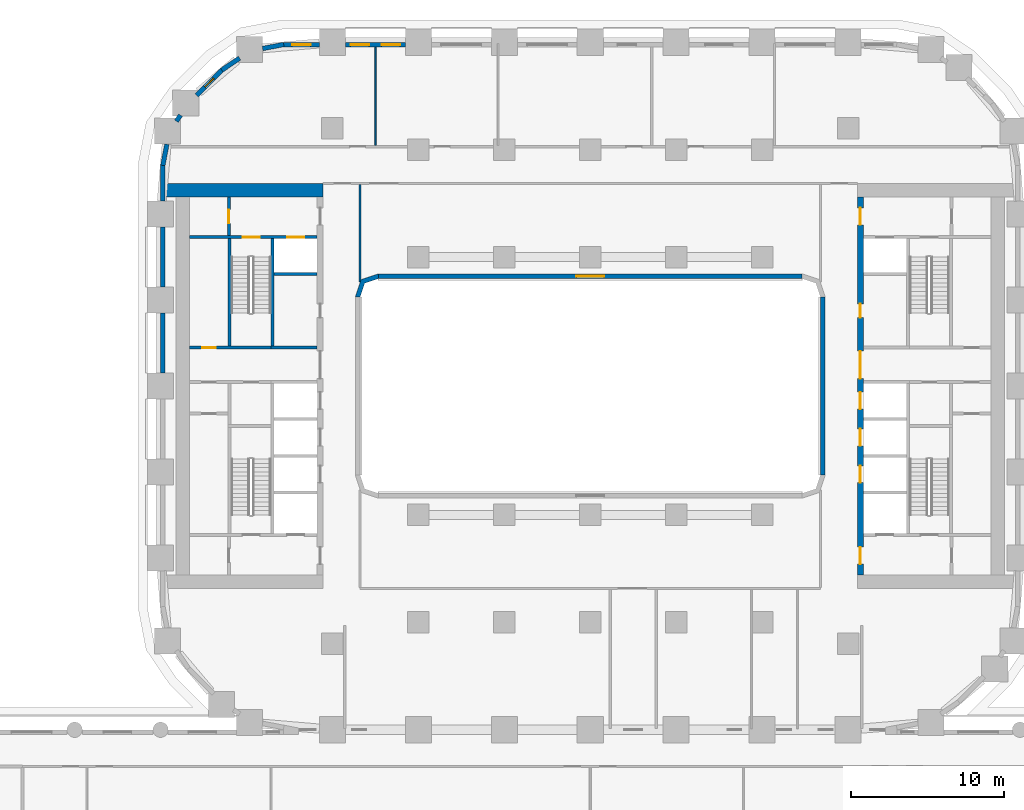
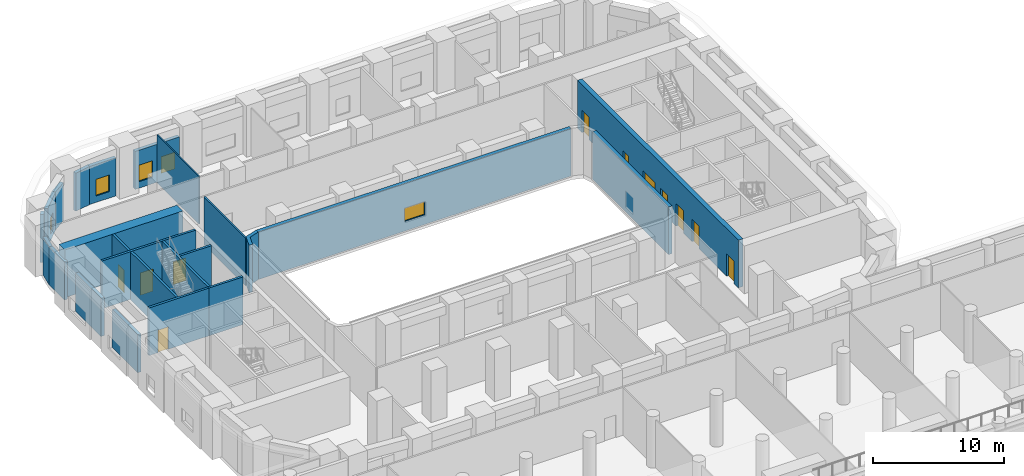
# One storey, part 10 of 23: 24 walls, 11 doors, 5 windows, 16 openings.
"""IFC4 building model written with IfcOpenShell, lengths in metres."""

from ifc_helpers import new_model, si_unit, direction, frame, frame_2d, origin, place, context, subcontext, project, spatial, polyline, rectangle, outline, extrude, material, layer, layer_set, type_object, element, fill, save


model = new_model("IFC4")

# Units and contexts
model_context = context("Model", 3, precision=1e-05, world=origin(), true_north=direction((0.0, 1.0)))
body_context = subcontext(model_context, "Body", "Model", "MODEL_VIEW")
ifc_project = project(units=[si_unit("LENGTHUNIT", "METRE"), si_unit("AREAUNIT", "SQUARE_METRE"), si_unit("VOLUMEUNIT", "CUBIC_METRE"), si_unit("PLANEANGLEUNIT", "RADIAN"), si_unit("MASSUNIT", "GRAM", prefix="KILO")], contexts=[model_context])

# Site, building, storey
site_placement = place(None, origin())
site = spatial("IfcSite", under=ifc_project, at=site_placement, CompositionType="ELEMENT")
building_placement = place(site_placement, origin())
building = spatial("IfcBuilding", under=site, at=building_placement, Name="Kiln Ring Residences", CompositionType="ELEMENT")
storey_placement = place(building_placement, frame((0.0, 0.0, 16.10009765625)))
storey = spatial("IfcBuildingStorey", under=building, at=storey_placement, Name="L03", CompositionType="ELEMENT", Elevation=16.10009765625)

# Wall, opening, door
ifc_material_1 = material(Name="Gypsum board on steel studs", Category="steel")
ifc_layer_1 = layer(ifc_material_1, 0.199951171875)
ifc_layer_set_1 = layer_set([ifc_layer_1], Name="CORE-PARTITION-200")
wall_type_1 = type_object("IfcWallType", Name="CORE-PARTITION-200", PredefinedType="PARTITIONING", material=ifc_layer_set_1)
wall_1_placement = place(storey_placement, frame((-23.550048828125, 9.800048828125, 0.0), z_axis=(0.0, 0.0, 1.0), x_axis=(0.0, 1.0, 0.0)))
wall_1 = element("IfcWall", 1, at=wall_1_placement, inside=storey, type_object=wall_type_1, Name="Core partition west L03 3", PredefinedType="PARTITIONING", context=body_context, shape_type="SweptSolid", body=[
    extrude(rectangle(XDim=2.5, YDim=0.199951171875, at=frame_2d((1.25, 0.0))), origin(), (0.0, 0.0, 1.0), 4.449951171875),
])
opening_1_placement = place(wall_1_placement, frame((0.800048828125, 0.0, 0.0)))
opening_1 = element("IfcOpeningElement", 2, at=opening_1_placement, cuts=wall_1, Name="Opening L03-CW09", PredefinedType="OPENING", context=body_context, shape_type="SweptSolid", body=[
    extrude(rectangle(XDim=0.89990234375, YDim=2.10009765625, at=frame_2d((0.449951171875, 1.050048828125))), frame((0.0, 0.10986328125, 0.0), z_axis=(0.0, -1.0, 0.0), x_axis=(1.0, 0.0, 0.0)), (0.0, 0.0, 1.0), 0.219970703125),
])
ifc_material_2 = material(Name="Steel door leaf", Category="steel")
door_type_1 = type_object("IfcDoorType", Name="CORE-DOOR-ROOM", OperationType="SINGLE_SWING_LEFT", PredefinedType="DOOR", material=ifc_material_2)
door_1_placement = place(opening_1_placement, origin())
door_1 = element("IfcDoor", 3, at=door_1_placement, inside=storey, type_object=door_type_1, Name="Fire riser room L03-CW09", OperationType="SINGLE_SWING_LEFT", OverallHeight=2.10009765625, OverallWidth=0.89990234375, PredefinedType="DOOR", context=body_context, shape_type="SweptSolid", body=[
    extrude(rectangle(XDim=0.89990234375, YDim=2.10009765625, at=frame_2d((0.449951171875, 1.050048828125))), frame((0.0, 0.02490234375, 0.0), z_axis=(0.0, -1.0, 0.0), x_axis=(1.0, 0.0, 0.0)), (0.0, 0.0, 1.0), 0.050048828125),
])
fill(opening_1, door_1)

# Walls
ifc_material_3 = material(Name="Gypsum shaft wall system")
ifc_layer_2 = layer(ifc_material_3, 0.199951171875)
ifc_layer_set_2 = layer_set([ifc_layer_2], Name="CORE-SHAFT-WALL-200")
wall_type_2 = type_object("IfcWallType", Name="CORE-SHAFT-WALL-200", PredefinedType="PARTITIONING", material=ifc_layer_set_2)
wall_2_placement = place(storey_placement, frame((-17.800048828125, 2.5, 0.0), z_axis=(0.0, 0.0, 1.0), x_axis=(-1.0, 0.0, 0.0)))
element("IfcWall", 4, at=wall_2_placement, inside=storey, type_object=wall_type_2, Name="Core partition west L03 10", PredefinedType="PARTITIONING", context=body_context, shape_type="SweptSolid", body=[
    extrude(rectangle(XDim=3.0, YDim=0.199951171875, at=frame_2d((1.5, 0.0))), origin(), (0.0, 0.0, 1.0), 4.449951171875),
])
wall_3_placement = place(storey_placement, frame((-17.800048828125, 7.300048828125, 0.0), z_axis=(0.0, 0.0, 1.0), x_axis=(-1.0, 0.0, 0.0)))
element("IfcWall", 5, at=wall_3_placement, inside=storey, type_object=wall_type_2, Name="Core partition west L03 11", PredefinedType="PARTITIONING", context=body_context, shape_type="SweptSolid", body=[
    extrude(rectangle(XDim=2.800048828125, YDim=0.199951171875, at=frame_2d((1.39990234375, 0.0))), origin(), (0.0, 0.0, 1.0), 4.449951171875),
])
ifc_material_4 = material(Name="Concrete C40/50", Category="concrete")
ifc_layer_3 = layer(ifc_material_4, 0.199951171875)
ifc_layer_set_3 = layer_set([ifc_layer_3], Name="CORE-WALL-RC200")
wall_type_3 = type_object("IfcWallType", Name="CORE-WALL-RC200", PredefinedType="SHEAR", material=ifc_layer_set_3)
wall_4_placement = place(storey_placement, frame((-20.699951171875, 2.60009765625, 0.0), z_axis=(0.0, 0.0, 1.0), x_axis=(0.0, 1.0, 0.0)))
element("IfcWall", 6, at=wall_4_placement, inside=storey, type_object=wall_type_3, Name="Core wall west L03 1", PredefinedType="SHEAR", context=body_context, shape_type="SweptSolid", body=[
    extrude(rectangle(XDim=7.0, YDim=0.199951171875, at=frame_2d((3.5, 0.0))), origin(), (0.0, 0.0, 1.0), 4.449951171875),
])

# Wall, opening, door
wall_5_placement = place(storey_placement, frame((-20.800048828125, 2.5, 0.0), z_axis=(0.0, 0.0, 1.0), x_axis=(-1.0, 0.0, 0.0)))
wall_5 = element("IfcWall", 7, at=wall_5_placement, inside=storey, type_object=wall_type_3, Name="Core wall west L03 3", PredefinedType="SHEAR", context=body_context, shape_type="SweptSolid", body=[
    extrude(rectangle(XDim=5.300048828125, YDim=0.199951171875, at=frame_2d((2.64990234375, 0.0))), origin(), (0.0, 0.0, 1.0), 4.449951171875),
])
opening_2_placement = place(wall_5_placement, frame((3.60009765625, 0.0, 0.0)))
opening_2 = element("IfcOpeningElement", 8, at=opening_2_placement, cuts=wall_5, Name="Opening L03-CW17", PredefinedType="OPENING", context=body_context, shape_type="SweptSolid", body=[
    extrude(rectangle(XDim=0.89990234375, YDim=2.10009765625, at=frame_2d((0.449951171875, 1.050048828125))), frame((0.0, 0.10986328125, 0.0), z_axis=(0.0, -1.0, 0.0), x_axis=(1.0, 0.0, 0.0)), (0.0, 0.0, 1.0), 0.219970703125),
])
door_2_placement = place(opening_2_placement, origin())
door_2 = element("IfcDoor", 9, at=door_2_placement, inside=storey, type_object=door_type_1, Name="Electrical plant room L03-CW17", OperationType="SINGLE_SWING_RIGHT", OverallHeight=2.10009765625, OverallWidth=0.89990234375, PredefinedType="DOOR", context=body_context, shape_type="SweptSolid", body=[
    extrude(rectangle(XDim=0.89990234375, YDim=2.10009765625, at=frame_2d((0.449951171875, 1.050048828125))), frame((0.0, 0.02490234375, 0.0), z_axis=(0.0, -1.0, 0.0), x_axis=(1.0, 0.0, 0.0)), (0.0, 0.0, 1.0), 0.050048828125),
])
fill(opening_2, door_2)

# Wall, openings, doors
wall_6_placement = place(storey_placement, frame((-17.800048828125, 9.699951171875, 0.0), z_axis=(0.0, 0.0, 1.0), x_axis=(-1.0, 0.0, 0.0)))
wall_6 = element("IfcWall", 10, at=wall_6_placement, inside=storey, type_object=wall_type_3, Name="Core wall west L03 9", PredefinedType="SHEAR", context=body_context, shape_type="SweptSolid", body=[
    extrude(rectangle(XDim=8.300048828125, YDim=0.199951171875, at=frame_2d((4.14990234375, 0.0))), origin(), (0.0, 0.0, 1.0), 4.449951171875),
])
opening_3_placement = place(wall_6_placement, frame((0.85009765625, 0.0, 0.0)))
opening_3 = element("IfcOpeningElement", 11, at=opening_3_placement, cuts=wall_6, Name="Opening L03-CW06", PredefinedType="OPENING", context=body_context, shape_type="SweptSolid", body=[
    extrude(rectangle(XDim=1.10009765625, YDim=2.10009765625, at=frame_2d((0.550048828125, 1.050048828125))), frame((0.0, 0.10986328125, 0.0), z_axis=(0.0, -1.0, 0.0), x_axis=(1.0, 0.0, 0.0)), (0.0, 0.0, 1.0), 0.219970703125),
])
opening_4_placement = place(wall_6_placement, frame((3.75, 0.0, 0.0)))
opening_4 = element("IfcOpeningElement", 12, at=opening_4_placement, cuts=wall_6, Name="Opening L03-CW11", PredefinedType="OPENING", context=body_context, shape_type="SweptSolid", body=[
    extrude(rectangle(XDim=1.10009765625, YDim=2.10009765625, at=frame_2d((0.550048828125, 1.050048828125))), frame((0.0, 0.10986328125, 0.0), z_axis=(0.0, -1.0, 0.0), x_axis=(1.0, 0.0, 0.0)), (0.0, 0.0, 1.0), 0.219970703125),
])
ifc_material_5 = material(Name="Steel door leaf", Category="steel")
door_type_2 = type_object("IfcDoorType", Name="CORE-DOOR-LD", OperationType="DOUBLE_DOOR_SLIDING", PredefinedType="DOOR", material=ifc_material_5)
door_3_placement = place(opening_3_placement, origin())
door_3 = element("IfcDoor", 13, at=door_3_placement, inside=storey, type_object=door_type_2, Name="LD W-FF L03-CW06", OperationType="DOUBLE_DOOR_SLIDING", OverallHeight=2.10009765625, OverallWidth=1.10009765625, PredefinedType="DOOR", context=body_context, shape_type="SweptSolid", body=[
    extrude(rectangle(XDim=1.10009765625, YDim=2.10009765625, at=frame_2d((0.550048828125, 1.050048828125))), frame((0.0, 0.02490234375, 0.0), z_axis=(0.0, -1.0, 0.0), x_axis=(1.0, 0.0, 0.0)), (0.0, 0.0, 1.0), 0.050048828125),
])
fill(opening_3, door_3)
ifc_material_6 = material(Name="Steel door leaf", Category="steel")
door_type_3 = type_object("IfcDoorType", Name="CORE-DOOR-STAIR", OperationType="SINGLE_SWING_LEFT", PredefinedType="DOOR", material=ifc_material_6)
door_4_placement = place(opening_4_placement, origin())
door_4 = element("IfcDoor", 14, at=door_4_placement, inside=storey, type_object=door_type_3, Name="Stair W-STN L03-CW11", OperationType="SINGLE_SWING_LEFT", OverallHeight=2.10009765625, OverallWidth=1.10009765625, PredefinedType="DOOR", context=body_context, shape_type="SweptSolid", body=[
    extrude(rectangle(XDim=1.10009765625, YDim=2.10009765625, at=frame_2d((0.550048828125, 1.050048828125))), frame((0.0, 0.02490234375, 0.0), z_axis=(0.0, -1.0, 0.0), x_axis=(1.0, 0.0, 0.0)), (0.0, 0.0, 1.0), 0.050048828125),
])
fill(opening_4, door_4)

# Wall
wall_7_placement = place(storey_placement, frame((-23.5, 2.60009765625, 0.0), z_axis=(0.0, 0.0, 1.0), x_axis=(0.0, 1.0, 0.0)))
element("IfcWall", 15, at=wall_7_placement, inside=storey, type_object=wall_type_3, Name="Core wall west L03 10", PredefinedType="SHEAR", context=body_context, shape_type="SweptSolid", body=[
    extrude(rectangle(XDim=7.0, YDim=0.199951171875, at=frame_2d((3.5, 0.0))), origin(), (0.0, 0.0, 1.0), 4.449951171875),
])

# Wall, openings, doors
ifc_material_7 = material(Name="Concrete C60/75", Category="concrete")
ifc_layer_4 = layer(ifc_material_7, 0.39990234375)
ifc_layer_set_4 = layer_set([ifc_layer_4], Name="CORE-WALL-RC400")
wall_type_4 = type_object("IfcWallType", Name="CORE-WALL-RC400", PredefinedType="SHEAR", material=ifc_layer_set_4)
wall_8_placement = place(storey_placement, frame((17.60009765625, -12.300048828125, 0.0), z_axis=(0.0, 0.0, 1.0), x_axis=(0.0, 1.0, 0.0)))
wall_8 = element("IfcWall", 16, at=wall_8_placement, inside=storey, type_object=wall_type_4, Name="Core wall east L03 6", PredefinedType="SHEAR", context=body_context, shape_type="SweptSolid", body=[
    extrude(rectangle(XDim=24.60009765625, YDim=0.39990234375, at=frame_2d((12.300048828125, 0.0))), origin(), (0.0, 0.0, 1.0), 4.449951171875),
])
opening_5_placement = place(wall_8_placement, frame((6.0, 0.0, 0.0)))
opening_5 = element("IfcOpeningElement", 17, at=opening_5_placement, cuts=wall_8, Name="Opening L03-CE02", PredefinedType="OPENING", context=body_context, shape_type="SweptSolid", body=[
    extrude(rectangle(XDim=1.10009765625, YDim=2.10009765625, at=frame_2d((0.550048828125, 1.050048828125))), frame((0.0, 0.2099609375, 0.0), z_axis=(0.0, -1.0, 0.0), x_axis=(1.0, 0.0, 0.0)), (0.0, 0.0, 1.0), 0.419921875),
])
opening_6_placement = place(wall_8_placement, frame((8.39990234375, 0.0, 0.0)))
opening_6 = element("IfcOpeningElement", 18, at=opening_6_placement, cuts=wall_8, Name="Opening L03-CE03", PredefinedType="OPENING", context=body_context, shape_type="SweptSolid", body=[
    extrude(rectangle(XDim=1.10009765625, YDim=2.10009765625, at=frame_2d((0.550048828125, 1.050048828125))), frame((0.0, 0.2099609375, 0.0), z_axis=(0.0, -1.0, 0.0), x_axis=(1.0, 0.0, 0.0)), (0.0, 0.0, 1.0), 0.419921875),
])
opening_7_placement = place(wall_8_placement, frame((10.800048828125, 0.0, 0.0)))
opening_7 = element("IfcOpeningElement", 19, at=opening_7_placement, cuts=wall_8, Name="Opening L03-CE04", PredefinedType="OPENING", context=body_context, shape_type="SweptSolid", body=[
    extrude(rectangle(XDim=1.10009765625, YDim=2.10009765625, at=frame_2d((0.550048828125, 1.050048828125))), frame((0.0, 0.2099609375, 0.0), z_axis=(0.0, -1.0, 0.0), x_axis=(1.0, 0.0, 0.0)), (0.0, 0.0, 1.0), 0.419921875),
])
opening_8_placement = place(wall_8_placement, frame((16.75, 0.0, 0.0)))
opening_8 = element("IfcOpeningElement", 20, at=opening_8_placement, cuts=wall_8, Name="Opening L03-CE05", PredefinedType="OPENING", context=body_context, shape_type="SweptSolid", body=[
    extrude(rectangle(XDim=0.89990234375, YDim=2.10009765625, at=frame_2d((0.449951171875, 1.050048828125))), frame((0.0, 0.2099609375, 0.0), z_axis=(0.0, -1.0, 0.0), x_axis=(1.0, 0.0, 0.0)), (0.0, 0.0, 1.0), 0.419921875),
])
opening_9_placement = place(wall_8_placement, frame((22.800048828125, 0.0, 0.0)))
opening_9 = element("IfcOpeningElement", 21, at=opening_9_placement, cuts=wall_8, Name="Opening L03-CE07", PredefinedType="OPENING", context=body_context, shape_type="SweptSolid", body=[
    extrude(rectangle(XDim=1.10009765625, YDim=2.10009765625, at=frame_2d((0.550048828125, 1.050048828125))), frame((0.0, 0.2099609375, 0.0), z_axis=(0.0, -1.0, 0.0), x_axis=(1.0, 0.0, 0.0)), (0.0, 0.0, 1.0), 0.419921875),
])
opening_10_placement = place(wall_8_placement, frame((0.699951171875, 0.0, 0.0)))
opening_10 = element("IfcOpeningElement", 22, at=opening_10_placement, cuts=wall_8, Name="Opening L03-CE08", PredefinedType="OPENING", context=body_context, shape_type="SweptSolid", body=[
    extrude(rectangle(XDim=1.10009765625, YDim=2.10009765625, at=frame_2d((0.550048828125, 1.050048828125))), frame((0.0, 0.2099609375, 0.0), z_axis=(0.0, -1.0, 0.0), x_axis=(1.0, 0.0, 0.0)), (0.0, 0.0, 1.0), 0.419921875),
])
opening_11_placement = place(wall_8_placement, frame((12.77490234375, 0.0, 0.0)))
opening_11 = element("IfcOpeningElement", 23, at=opening_11_placement, cuts=wall_8, Name="Opening L03-CE13", PredefinedType="OPENING", context=body_context, shape_type="SweptSolid", body=[
    extrude(rectangle(XDim=1.800048828125, YDim=2.10009765625, at=frame_2d((0.89990234375, 1.050048828125))), frame((0.0, 0.2099609375, 0.0), z_axis=(0.0, -1.0, 0.0), x_axis=(1.0, 0.0, 0.0)), (0.0, 0.0, 1.0), 0.419921875),
])
door_5_placement = place(opening_5_placement, origin())
door_5 = element("IfcDoor", 24, at=door_5_placement, inside=storey, type_object=door_type_2, Name="LD E-L1 L03-CE02", OperationType="DOUBLE_DOOR_SLIDING", OverallHeight=2.10009765625, OverallWidth=1.10009765625, PredefinedType="DOOR", context=body_context, shape_type="SweptSolid", body=[
    extrude(rectangle(XDim=1.10009765625, YDim=2.10009765625, at=frame_2d((0.550048828125, 1.050048828125))), frame((0.0, 0.02490234375, 0.0), z_axis=(0.0, -1.0, 0.0), x_axis=(1.0, 0.0, 0.0)), (0.0, 0.0, 1.0), 0.050048828125),
])
fill(opening_5, door_5)
door_6_placement = place(opening_6_placement, origin())
door_6 = element("IfcDoor", 25, at=door_6_placement, inside=storey, type_object=door_type_2, Name="LD E-L2 L03-CE03", OperationType="DOUBLE_DOOR_SLIDING", OverallHeight=2.10009765625, OverallWidth=1.10009765625, PredefinedType="DOOR", context=body_context, shape_type="SweptSolid", body=[
    extrude(rectangle(XDim=1.10009765625, YDim=2.10009765625, at=frame_2d((0.550048828125, 1.050048828125))), frame((0.0, 0.02490234375, 0.0), z_axis=(0.0, -1.0, 0.0), x_axis=(1.0, 0.0, 0.0)), (0.0, 0.0, 1.0), 0.050048828125),
])
fill(opening_6, door_6)
door_7_placement = place(opening_7_placement, origin())
door_7 = element("IfcDoor", 26, at=door_7_placement, inside=storey, type_object=door_type_2, Name="LD E-L3 L03-CE04", OperationType="DOUBLE_DOOR_SLIDING", OverallHeight=2.10009765625, OverallWidth=1.10009765625, PredefinedType="DOOR", context=body_context, shape_type="SweptSolid", body=[
    extrude(rectangle(XDim=1.10009765625, YDim=2.10009765625, at=frame_2d((0.550048828125, 1.050048828125))), frame((0.0, 0.02490234375, 0.0), z_axis=(0.0, -1.0, 0.0), x_axis=(1.0, 0.0, 0.0)), (0.0, 0.0, 1.0), 0.050048828125),
])
fill(opening_7, door_7)
ifc_material_8 = material(Name="Steel door leaf", Category="steel")
door_type_4 = type_object("IfcDoorType", Name="CORE-DOOR-LOBBY", OperationType="SINGLE_SWING_LEFT", PredefinedType="DOOR", material=ifc_material_8)
door_8_placement = place(opening_9_placement, origin())
door_8 = element("IfcDoor", 27, at=door_8_placement, inside=storey, type_object=door_type_4, Name="FFL L03-CE07", OperationType="SINGLE_SWING_LEFT", OverallHeight=2.10009765625, OverallWidth=1.10009765625, PredefinedType="DOOR", context=body_context, shape_type="SweptSolid", body=[
    extrude(rectangle(XDim=1.10009765625, YDim=2.10009765625, at=frame_2d((0.550048828125, 1.050048828125))), frame((0.0, 0.02490234375, 0.0), z_axis=(0.0, -1.0, 0.0), x_axis=(1.0, 0.0, 0.0)), (0.0, 0.0, 1.0), 0.050048828125),
])
fill(opening_9, door_8)
door_9_placement = place(opening_10_placement, origin())
door_9 = element("IfcDoor", 28, at=door_9_placement, inside=storey, type_object=door_type_4, Name="SVL L03-CE08", OperationType="SINGLE_SWING_RIGHT", OverallHeight=2.10009765625, OverallWidth=1.10009765625, PredefinedType="DOOR", context=body_context, shape_type="SweptSolid", body=[
    extrude(rectangle(XDim=1.10009765625, YDim=2.10009765625, at=frame_2d((0.550048828125, 1.050048828125))), frame((0.0, 0.02490234375, 0.0), z_axis=(0.0, -1.0, 0.0), x_axis=(1.0, 0.0, 0.0)), (0.0, 0.0, 1.0), 0.050048828125),
])
fill(opening_10, door_9)
ifc_material_9 = material(Name="Steel door leaf", Category="steel")
door_type_5 = type_object("IfcDoorType", Name="CORE-DOOR-PASS", OperationType="DOUBLE_DOOR_SINGLE_SWING", PredefinedType="DOOR", material=ifc_material_9)
door_10_placement = place(opening_11_placement, origin())
door_10 = element("IfcDoor", 29, at=door_10_placement, inside=storey, type_object=door_type_5, Name="Core passage L03-CE13", OperationType="DOUBLE_DOOR_SINGLE_SWING", OverallHeight=2.10009765625, OverallWidth=1.800048828125, PredefinedType="DOOR", context=body_context, shape_type="SweptSolid", body=[
    extrude(rectangle(XDim=1.800048828125, YDim=2.10009765625, at=frame_2d((0.89990234375, 1.050048828125))), frame((0.0, 0.02490234375, 0.0), z_axis=(0.0, -1.0, 0.0), x_axis=(1.0, 0.0, 0.0)), (0.0, 0.0, 1.0), 0.050048828125),
])
fill(opening_11, door_10)
door_11_placement = place(opening_8_placement, origin())
door_11 = element("IfcDoor", 30, at=door_11_placement, inside=storey, type_object=door_type_1, Name="Goods store L03-CE05", OperationType="SINGLE_SWING_RIGHT", OverallHeight=2.10009765625, OverallWidth=0.89990234375, PredefinedType="DOOR", context=body_context, shape_type="SweptSolid", body=[
    extrude(rectangle(XDim=0.89990234375, YDim=2.10009765625, at=frame_2d((0.449951171875, 1.050048828125))), frame((0.0, 0.02490234375, 0.0), z_axis=(0.0, -1.0, 0.0), x_axis=(1.0, 0.0, 0.0)), (0.0, 0.0, 1.0), 0.050048828125),
])
fill(opening_8, door_11)

# Wall
ifc_material_10 = material(Name="Concrete C60/75", Category="concrete")
ifc_layer_5 = layer(ifc_material_10, 0.89990234375)
ifc_layer_set_5 = layer_set([ifc_layer_5], Name="CORE-WALL-RC900")
wall_type_5 = type_object("IfcWallType", Name="CORE-WALL-RC900", PredefinedType="SHEAR", material=ifc_layer_set_5)
wall_9_placement = place(storey_placement, frame((-17.39990234375, 12.75, 0.0), z_axis=(0.0, 0.0, 1.0), x_axis=(-1.0, 0.0, 0.0)))
element("IfcWall", 31, at=wall_9_placement, inside=storey, type_object=wall_type_5, Name="Core wall west L03 4", PredefinedType="SHEAR", context=body_context, shape_type="SweptSolid", body=[
    extrude(rectangle(XDim=10.400146484375, YDim=0.89990234375, at=frame_2d((5.2001953125, 0.0))), origin(), (0.0, 0.0, 1.0), 4.449951171875),
])

# Wall, openings, windows
ifc_material_11 = material(Name="Brick masonry, dark clay brick", Category="masonry")
ifc_layer_6 = layer(ifc_material_11, 0.300048828125)
ifc_layer_set_6 = layer_set([ifc_layer_6], Name="EW-300 BRICK WALL")
wall_type_6 = type_object("IfcWallType", Name="EW-300 BRICK WALL", PredefinedType="SOLIDWALL", material=ifc_layer_set_6)
wall_10_placement = place(storey_placement, frame((-12.050048828125, 22.25, 0.0), z_axis=(0.0, 0.0, 1.0), x_axis=(-1.0, 0.0, 0.0)))
wall_10 = element("IfcWall", 32, at=wall_10_placement, inside=storey, type_object=wall_type_6, Name="Facade wall L03 31", PredefinedType="SOLIDWALL", context=body_context, shape_type="SweptSolid", body=[
    extrude(rectangle(XDim=3.89990234375, YDim=0.300048828125, at=frame_2d((1.949951171875, 0.0))), origin(), (0.0, 0.0, 1.0), 3.5498046875),
])
opening_12_placement = place(wall_10_placement, frame((0.33740234375, 0.0, 0.60009765625)))
opening_12 = element("IfcOpeningElement", 33, at=opening_12_placement, cuts=wall_10, Name="Opening W1", PredefinedType="OPENING", context=body_context, shape_type="SweptSolid", body=[
    extrude(rectangle(XDim=1.199951171875, YDim=1.550048828125, at=frame_2d((0.60009765625, 0.77490234375))), frame((0.0, 0.159912109375, 0.0), z_axis=(0.0, -1.0, 0.0), x_axis=(1.0, 0.0, 0.0)), (0.0, 0.0, 1.0), 0.320068359375),
])
opening_13_placement = place(wall_10_placement, frame((2.362548828125, 0.0, 0.60009765625)))
opening_13 = element("IfcOpeningElement", 34, at=opening_13_placement, cuts=wall_10, Name="Opening W1", PredefinedType="OPENING", context=body_context, shape_type="SweptSolid", body=[
    extrude(rectangle(XDim=1.199951171875, YDim=1.550048828125, at=frame_2d((0.60009765625, 0.77490234375))), frame((0.0, 0.159912109375, 0.0), z_axis=(0.0, -1.0, 0.0), x_axis=(1.0, 0.0, 0.0)), (0.0, 0.0, 1.0), 0.320068359375),
])
ifc_material_12 = material(Name="Aluminium frame with double glazing", Category="aluminium")
window_type_1 = type_object("IfcWindowType", Name="WINDOW 1200 x 1550", PartitioningType="SINGLE_PANEL", PredefinedType="WINDOW", material=ifc_material_12)
window_1_placement = place(opening_12_placement, origin())
window_1 = element("IfcWindow", 35, at=window_1_placement, inside=storey, type_object=window_type_1, Name="Window L03 17", OverallHeight=1.550048828125, OverallWidth=1.199951171875, PartitioningType="SINGLE_PANEL", PredefinedType="WINDOW", context=body_context, shape_type="SweptSolid", body=[
    extrude(rectangle(XDim=1.199951171875, YDim=1.550048828125, at=frame_2d((0.60009765625, 0.77490234375))), frame((0.0, 0.030029296875, 0.0), z_axis=(0.0, -1.0, 0.0), x_axis=(1.0, 0.0, 0.0)), (0.0, 0.0, 1.0), 0.06005859375),
])
fill(opening_12, window_1)
window_2_placement = place(opening_13_placement, origin())
window_2 = element("IfcWindow", 36, at=window_2_placement, inside=storey, type_object=window_type_1, Name="Window L03 18", OverallHeight=1.550048828125, OverallWidth=1.199951171875, PartitioningType="SINGLE_PANEL", PredefinedType="WINDOW", context=body_context, shape_type="SweptSolid", body=[
    extrude(rectangle(XDim=1.199951171875, YDim=1.550048828125, at=frame_2d((0.60009765625, 0.77490234375))), frame((0.0, 0.030029296875, 0.0), z_axis=(0.0, -1.0, 0.0), x_axis=(1.0, 0.0, 0.0)), (0.0, 0.0, 1.0), 0.06005859375),
])
fill(opening_13, window_2)

# Wall, opening, window
wall_11_placement = place(storey_placement, frame((-17.64990234375, 22.25, 0.0), z_axis=(0.0, 0.0, 1.0), x_axis=(-1.0, 0.0, 0.0)))
wall_11 = element("IfcWall", 37, at=wall_11_placement, inside=storey, type_object=wall_type_6, Name="Facade wall L03 32", PredefinedType="SOLIDWALL", context=body_context, shape_type="SweptSolid", body=[
    extrude(rectangle(XDim=2.35009765625, YDim=0.300048828125, at=frame_2d((1.175048828125, 0.0))), origin(), (0.0, 0.0, 1.0), 3.5498046875),
])
opening_14_placement = place(wall_11_placement, frame((0.574951171875, 0.0, 0.60009765625)))
opening_14 = element("IfcOpeningElement", 38, at=opening_14_placement, cuts=wall_11, Name="Opening W1", PredefinedType="OPENING", context=body_context, shape_type="SweptSolid", body=[
    extrude(rectangle(XDim=1.199951171875, YDim=1.550048828125, at=frame_2d((0.60009765625, 0.77490234375))), frame((0.0, 0.159912109375, 0.0), z_axis=(0.0, -1.0, 0.0), x_axis=(1.0, 0.0, 0.0)), (0.0, 0.0, 1.0), 0.320068359375),
])
window_3_placement = place(opening_14_placement, origin())
window_3 = element("IfcWindow", 39, at=window_3_placement, inside=storey, type_object=window_type_1, Name="Window L03 19", OverallHeight=1.550048828125, OverallWidth=1.199951171875, PartitioningType="SINGLE_PANEL", PredefinedType="WINDOW", context=body_context, shape_type="SweptSolid", body=[
    extrude(rectangle(XDim=1.199951171875, YDim=1.550048828125, at=frame_2d((0.60009765625, 0.77490234375))), frame((0.0, 0.030029296875, 0.0), z_axis=(0.0, -1.0, 0.0), x_axis=(1.0, 0.0, 0.0)), (0.0, 0.0, 1.0), 0.06005859375),
])
fill(opening_14, window_3)

# Walls
for number, where, z_axis, x_axis, name in (
    (40, (-19.971923828125, 22.252685546875, 0.0), (0.0, 0.0, 1.0), (-0.98229142023, -0.187359455971, 0.0), "Facade wall L03 33"),
    (41, (-22.849853515625, 21.369140625, 0.0), (0.0, 0.0, 1.0), (-0.827075041075, -0.562091519622, 0.0), "Facade wall L03 34"),
):
    element("IfcWall", number, at=place(storey_placement, frame(where, z_axis=z_axis, x_axis=x_axis)), inside=storey, type_object=wall_type_6, Name=name, PredefinedType="SOLIDWALL", context=body_context, shape_type="SweptSolid", body=[
        extrude(rectangle(XDim=1.406005859375, YDim=0.300048828125, at=frame_2d((0.703125, 0.0))), origin(), (0.0, 0.0, 1.0), 3.5498046875),
    ])

# Wall, opening, window
wall_12_placement = place(storey_placement, frame((-23.990966796875, 20.596923828125, 0.0), z_axis=(0.0, 0.0, 1.0), x_axis=(-0.707054835785, -0.707158722772, 0.0)))
wall_12 = element("IfcWall", 42, at=wall_12_placement, inside=storey, type_object=wall_type_6, Name="Facade wall L03 35", PredefinedType="SOLIDWALL", context=body_context, shape_type="SweptSolid", body=[
    extrude(rectangle(XDim=2.35009765625, YDim=0.300048828125, at=frame_2d((1.175048828125, 0.0))), origin(), (0.0, 0.0, 1.0), 3.5498046875),
])
opening_15_placement = place(wall_12_placement, frame((0.77490234375, 0.0, 0.60009765625)))
opening_15 = element("IfcOpeningElement", 43, at=opening_15_placement, cuts=wall_12, Name="Opening W5", PredefinedType="OPENING", context=body_context, shape_type="SweptSolid", body=[
    extrude(rectangle(XDim=0.800048828125, YDim=1.550048828125, at=frame_2d((0.39990234375, 0.77490234375))), frame((0.0, 0.159912109375, 0.0), z_axis=(0.0, -1.0, 0.0), x_axis=(1.0, 0.0, 0.0)), (0.0, 0.0, 1.0), 0.320068359375),
])
ifc_material_13 = material(Name="Aluminium frame with double glazing", Category="aluminium")
window_type_2 = type_object("IfcWindowType", Name="WINDOW 800 x 1550", PartitioningType="SINGLE_PANEL", PredefinedType="WINDOW", material=ifc_material_13)
window_4_placement = place(opening_15_placement, origin())
window_4 = element("IfcWindow", 44, at=window_4_placement, inside=storey, type_object=window_type_2, Name="Window L03 20", OverallHeight=1.550048828125, OverallWidth=0.800048828125, PartitioningType="SINGLE_PANEL", PredefinedType="WINDOW", context=body_context, shape_type="SweptSolid", body=[
    extrude(rectangle(XDim=0.800048828125, YDim=1.550048828125, at=frame_2d((0.39990234375, 0.77490234375))), frame((0.0, 0.030029296875, 0.0), z_axis=(0.0, -1.0, 0.0), x_axis=(1.0, 0.0, 0.0)), (0.0, 0.0, 1.0), 0.06005859375),
])
fill(opening_15, window_4)

# Walls
wall_13_placement = place(storey_placement, frame((-26.701171875, 17.644287109375, 0.0), z_axis=(0.0, 0.0, 1.0), x_axis=(-0.562001981492, -0.827135885329, 0.0)))
element("IfcWall", 45, at=wall_13_placement, inside=storey, type_object=wall_type_6, Name="Facade wall L03 36", PredefinedType="SOLIDWALL", context=body_context, shape_type="SweptSolid", body=[
    extrude(rectangle(XDim=0.47705078125, YDim=0.300048828125, at=frame_2d((0.238525390625, 0.0))), origin(), (0.0, 0.0, 1.0), 4.449951171875),
])
wall_14_placement = place(storey_placement, frame((-27.589111328125, 15.753173828125, 0.0), z_axis=(0.0, 0.0, 1.0), x_axis=(-0.187327504018, -0.982297514116, 0.0)))
element("IfcWall", 46, at=wall_14_placement, inside=storey, type_object=wall_type_6, Name="Facade wall L03 37", PredefinedType="SOLIDWALL", context=body_context, shape_type="SweptSolid", body=[
    extrude(rectangle(XDim=1.40625, YDim=0.300048828125, at=frame_2d((0.703125, 0.0))), origin(), (0.0, 0.0, 1.0), 3.5498046875),
])
wall_15_placement = place(storey_placement, frame((-27.85009765625, 14.39990234375, 0.0), z_axis=(0.0, 0.0, 1.0), x_axis=(0.0, -1.0, 0.0)))
element("IfcWall", 47, at=wall_15_placement, inside=storey, type_object=wall_type_6, Name="Facade wall L03 38", PredefinedType="SOLIDWALL", context=body_context, shape_type="SweptSolid", body=[
    extrude(rectangle(XDim=2.349853515625, YDim=0.300048828125, at=frame_2d((1.1748046875, 0.0))), origin(), (0.0, 0.0, 1.0), 3.5498046875),
])
wall_16_placement = place(storey_placement, frame((-27.85009765625, 10.35009765625, 0.0), z_axis=(0.0, 0.0, 1.0), x_axis=(0.0, -1.0, 0.0)))
element("IfcWall", 48, at=wall_16_placement, inside=storey, type_object=wall_type_6, Name="Facade wall L03 39", PredefinedType="SOLIDWALL", context=body_context, shape_type="SweptSolid", body=[
    extrude(rectangle(XDim=3.900146484375, YDim=0.300048828125, at=frame_2d((1.9501953125, 0.0))), origin(), (0.0, 0.0, 1.0), 3.5498046875),
])
wall_17_placement = place(storey_placement, frame((-27.85009765625, 4.75, 0.0), z_axis=(0.0, 0.0, 1.0), x_axis=(0.0, -1.0, 0.0)))
element("IfcWall", 49, at=wall_17_placement, inside=storey, type_object=wall_type_6, Name="Facade wall L03 40", PredefinedType="SOLIDWALL", context=body_context, shape_type="SweptSolid", body=[
    extrude(rectangle(XDim=3.89990234375, YDim=0.300048828125, at=frame_2d((1.949951171875, 0.0))), origin(), (0.0, 0.0, 1.0), 3.5498046875),
])

# Wall, opening, window
wall_18_placement = place(storey_placement, frame((-13.800048828125, 7.14990234375, 0.0), z_axis=(0.0, 0.0, 1.0), x_axis=(1.0, 0.0, 0.0)))
wall_18 = element("IfcWall", 50, at=wall_18_placement, inside=storey, type_object=wall_type_6, Name="Facade wall L03 74", PredefinedType="SOLIDWALL", context=body_context, shape_type="SweptSolid", body=[
    extrude(rectangle(XDim=27.60009765625, YDim=0.300048828125, at=frame_2d((13.800048828125, 0.0))), origin(), (0.0, 0.0, 1.0), 4.449951171875),
])
opening_16_placement = place(wall_18_placement, frame((12.89990234375, 0.0, 0.89990234375)))
opening_16 = element("IfcOpeningElement", 51, at=opening_16_placement, cuts=wall_18, Name="Opening W2", PredefinedType="OPENING", context=body_context, shape_type="SweptSolid", body=[
    extrude(rectangle(XDim=1.800048828125, YDim=1.25, at=frame_2d((0.89990234375, 0.625))), frame((0.0, 0.159912109375, 0.0), z_axis=(0.0, -1.0, 0.0), x_axis=(1.0, 0.0, 0.0)), (0.0, 0.0, 1.0), 0.320068359375),
])
ifc_material_14 = material(Name="Aluminium frame with double glazing", Category="aluminium")
window_type_3 = type_object("IfcWindowType", Name="WINDOW 1800 x 1250", PartitioningType="SINGLE_PANEL", PredefinedType="WINDOW", material=ifc_material_14)
window_5_placement = place(opening_16_placement, origin())
window_5 = element("IfcWindow", 52, at=window_5_placement, inside=storey, type_object=window_type_3, Name="Window L03 45", OverallHeight=1.25, OverallWidth=1.800048828125, PartitioningType="SINGLE_PANEL", PredefinedType="WINDOW", context=body_context, shape_type="SweptSolid", body=[
    extrude(rectangle(XDim=1.800048828125, YDim=1.25, at=frame_2d((0.89990234375, 0.625))), frame((0.0, 0.030029296875, 0.0), z_axis=(0.0, -1.0, 0.0), x_axis=(1.0, 0.0, 0.0)), (0.0, 0.0, 1.0), 0.06005859375),
])
fill(opening_16, window_5)

# Walls
wall_19_placement = place(storey_placement, frame((15.14990234375, 5.800048828125, 0.0), z_axis=(0.0, 0.0, 1.0), x_axis=(0.0, -1.0, 0.0)))
element("IfcWall", 53, at=wall_19_placement, inside=storey, type_object=wall_type_6, Name="Facade wall L03 75", PredefinedType="SOLIDWALL", context=body_context, shape_type="SweptSolid", body=[
    extrude(rectangle(XDim=11.60009765625, YDim=0.300048828125, at=frame_2d((5.800048828125, 0.0))), origin(), (0.0, 0.0, 1.0), 4.449951171875),
])
wall_20_placement = place(storey_placement, origin())
element("IfcWall", 54, at=wall_20_placement, inside=storey, type_object=wall_type_6, Name="Corner wall L03 3", PredefinedType="SOLIDWALL", context=body_context, shape_type="SweptSolid", body=[
    extrude(outline(polyline([(-13.8486328125, 7.300048828125), (-14.937255859375, 6.937255859375), (-15.300048828125, 5.8486328125), (-15.300048828125, 5.800048828125), (-15.0, 5.800048828125), (-14.699951171875, 6.699951171875), (-13.800048828125, 7.0), (-13.800048828125, 7.300048828125), (-13.8486328125, 7.300048828125)])), origin(), (0.0, 0.0, 1.0), 4.449951171875),
])
ifc_material_15 = material(Name="Gypsum board on steel studs", Category="steel")
ifc_layer_7 = layer(ifc_material_15, 0.10009765625)
ifc_layer_set_7 = layer_set([ifc_layer_7], Name="PARTITION-100")
wall_type_7 = type_object("IfcWallType", Name="PARTITION-100", PredefinedType="PARTITIONING", material=ifc_layer_set_7)
wall_21_placement = place(storey_placement, frame((-14.0, 15.675048828125, 0.0), z_axis=(0.0, 0.0, 1.0), x_axis=(0.0, 1.0, 0.0)))
element("IfcWall", 55, at=wall_21_placement, inside=storey, type_object=wall_type_7, Name="Partition 015", PredefinedType="PARTITIONING", context=body_context, shape_type="SweptSolid", body=[
    extrude(rectangle(XDim=6.405029296875, YDim=0.10009765625, at=frame_2d((3.20263671875, 0.0))), origin(), (0.0, 0.0, 1.0), 4.449951171875),
])
ifc_material_16 = material(Name="Brick masonry partition", Category="masonry")
ifc_layer_8 = layer(ifc_material_16, 0.14990234375)
ifc_layer_set_8 = layer_set([ifc_layer_8], Name="PARTITION-150-ei60")
wall_type_8 = type_object("IfcWallType", Name="PARTITION-150-ei60", PredefinedType="PARTITIONING", material=ifc_layer_set_8)
wall_22_placement = place(storey_placement, frame((-15.0, 6.768798828125, 0.0), z_axis=(0.0, 0.0, 1.0), x_axis=(0.0, 1.0, 0.0)))
element("IfcWall", 56, at=wall_22_placement, inside=storey, type_object=wall_type_8, Name="Partition 014", PredefinedType="PARTITIONING", context=body_context, shape_type="SweptSolid", body=[
    extrude(rectangle(XDim=6.356201171875, YDim=0.14990234375, at=frame_2d((3.17822265625, 0.0))), origin(), (0.0, 0.0, 1.0), 4.449951171875),
])

save(model, "model.ifc")
